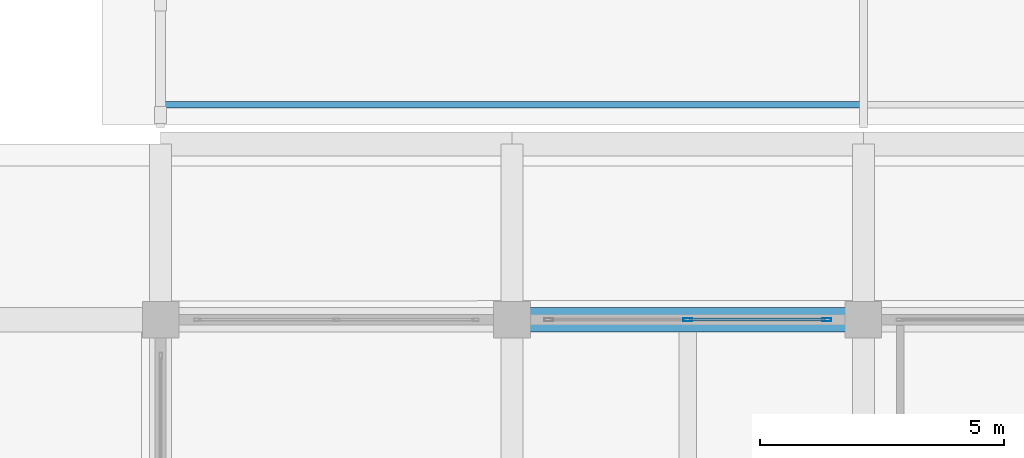
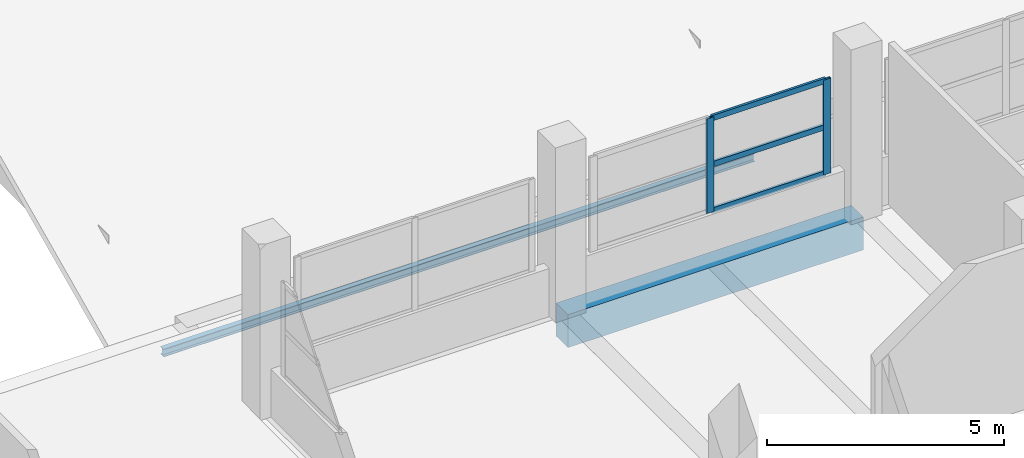
# One storey, part 61 of 141: 6 members, 1 beam, 1 element without a shape of its own.
"""IFC4 building model written with IfcOpenShell, lengths in metres."""

from ifc_helpers import new_model, si_unit, direction, frame, origin, origin_2d, place, context, subcontext, project, spatial, rectangle, hollow_rectangle, i_section, extrude, material, layer, layer_set, material_profile, profile_set, type_object, element, aggregate, save


model = new_model("IFC4")

# Units and contexts
model_context = context("Model", 3, precision=1e-05, world=origin(), true_north=direction((0.0, 1.0)))
body_context = subcontext(model_context, "Body", "Model", "MODEL_VIEW")
ifc_project = project(units=[si_unit("LENGTHUNIT", "METRE"), si_unit("AREAUNIT", "SQUARE_METRE"), si_unit("VOLUMEUNIT", "CUBIC_METRE"), si_unit("PLANEANGLEUNIT", "RADIAN"), si_unit("MASSUNIT", "GRAM", prefix="KILO")], contexts=[model_context])

# Site, building, storey
site_placement = place(None, origin())
site = spatial("IfcSite", under=ifc_project, at=site_placement, CompositionType="ELEMENT")
building_placement = place(site_placement, origin())
building = spatial("IfcBuilding", under=site, at=building_placement, Name="Seraya Terrace Polytechnic", CompositionType="ELEMENT")
storey_placement = place(building_placement, frame((0.0, 0.0, 14.39990234375)))
storey = spatial("IfcBuildingStorey", under=building, at=storey_placement, Name="L03", CompositionType="ELEMENT", Elevation=14.39990234375)

# Beam
ifc_material_1 = material(Name="Concrete C40/50", Category="concrete")
ifc_material_profile_1 = material_profile(ifc_material_1, rectangle(XDim=0.5, YDim=0.85009765625, at=origin_2d()), Name="RC 500x850")
ifc_profile_set_1 = profile_set([ifc_material_profile_1], Name="Concrete C40/50")
beam_type = type_object("IfcBeamType", Name="BM-05", PredefinedType="BEAM", material=ifc_profile_set_1)
beam_placement = place(storey_placement, frame((21.60009765625, 72.0, -0.4248046875), z_axis=(1.0, 0.0, 0.0), x_axis=(0.0, 1.0, 0.0)))
element("IfcBeam", 1, at=beam_placement, inside=storey, type_object=beam_type, Name="Beam BM-05 L03 X (21.6..28.8, 72.0)", PredefinedType="BEAM", context=body_context, shape_type="SweptSolid", body=[
    extrude(rectangle(XDim=0.5, YDim=0.85009765625, at=origin_2d()), origin(), (0.0, 0.0, 1.0), 7.199951171875),
])

# Curtain wall, members
ifc_material_2 = material(Name="Anodised aluminium EN AW-6063 T6", Category="aluminium")
ifc_layer = layer(ifc_material_2, 0.179931640625, Name="CW-07")
ifc_layer_set = layer_set([ifc_layer], Name="Anodised aluminium EN AW-6063 T6")
curtain_wall_type = type_object("IfcCurtainWallType", Name="CW-07", PredefinedType="NOTDEFINED", material=ifc_layer_set)
curtain_wall_placement = place(storey_placement, origin())
curtain_wall = element("IfcCurtainWall", 2, at=curtain_wall_placement, inside=storey, type_object=curtain_wall_type, Name="Unitised curtain wall CW-07 (CW-L03-115)", PredefinedType="NOTDEFINED")
ifc_material_profile_2 = material_profile(ifc_material_2, hollow_rectangle(XDim=0.06494140625, YDim=0.179931640625, WallThickness=0.00390625, at=origin_2d()), Name="RHS 180x65x4.0")
ifc_profile_set_2 = profile_set([ifc_material_profile_2], Name="Anodised aluminium EN AW-6063 T6")
member_type_1 = type_object("IfcMemberType", Name="CWM-01", PredefinedType="MULLION", material=ifc_profile_set_2)
member_1_placement = place(storey_placement, frame((25.199951171875, 72.0, 1.239990234375), z_axis=(0.0, 0.0, 1.0), x_axis=(0.0, 1.0, 0.0)))
member_1 = element("IfcMember", 3, at=member_1_placement, type_object=member_type_1, Name="CW-07 mullion 2", PredefinedType="MULLION", context=body_context, shape_type="SweptSolid", body=[
    extrude(hollow_rectangle(XDim=0.06494140625, YDim=0.179931640625, WallThickness=0.00390625, at=origin_2d()), origin(), (0.0, 0.0, 1.0), 2.440185546875),
])
member_2_placement = place(storey_placement, frame((28.047607421875, 72.0, 1.239990234375), z_axis=(0.0, 0.0, 1.0), x_axis=(0.0, 1.0, 0.0)))
member_2 = element("IfcMember", 4, at=member_2_placement, type_object=member_type_1, Name="CW-07 mullion 3", PredefinedType="MULLION", context=body_context, shape_type="SweptSolid", body=[
    extrude(hollow_rectangle(XDim=0.06494140625, YDim=0.179931640625, WallThickness=0.00390625, at=origin_2d()), origin(), (0.0, 0.0, 1.0), 2.440185546875),
])
ifc_material_profile_3 = material_profile(ifc_material_2, hollow_rectangle(XDim=0.06005859375, YDim=0.139892578125, WallThickness=0.00341796875, at=origin_2d()), Name="RHS 140x60x3.5")
ifc_profile_set_3 = profile_set([ifc_material_profile_3], Name="Anodised aluminium EN AW-6063 T6")
member_type_2 = type_object("IfcMemberType", Name="CWT-01", PredefinedType="USERDEFINED", material=ifc_profile_set_3)
member_3_placement = place(storey_placement, frame((25.232421875, 72.0, 1.27001953125), z_axis=(1.0, 0.0, 0.0), x_axis=(0.0, 1.0, 0.0)))
member_3 = element("IfcMember", 5, at=member_3_placement, type_object=member_type_2, Name="CW-07 transom 2.1", ObjectType="TRANSOM", PredefinedType="USERDEFINED", context=body_context, shape_type="SweptSolid", body=[
    extrude(hollow_rectangle(XDim=0.06005859375, YDim=0.139892578125, WallThickness=0.00341796875, at=origin_2d()), origin(), (0.0, 0.0, 1.0), 2.782470703125),
])
member_4_placement = place(storey_placement, frame((25.232421875, 72.0, 2.460205078125), z_axis=(1.0, 0.0, 0.0), x_axis=(0.0, 1.0, 0.0)))
member_4 = element("IfcMember", 6, at=member_4_placement, type_object=member_type_2, Name="CW-07 transom 2.2", ObjectType="TRANSOM", PredefinedType="USERDEFINED", context=body_context, shape_type="SweptSolid", body=[
    extrude(hollow_rectangle(XDim=0.06005859375, YDim=0.139892578125, WallThickness=0.00341796875, at=origin_2d()), origin(), (0.0, 0.0, 1.0), 2.782470703125),
])
member_5_placement = place(storey_placement, frame((25.232421875, 72.0, 3.650146484375), z_axis=(1.0, 0.0, 0.0), x_axis=(0.0, 1.0, 0.0)))
member_5 = element("IfcMember", 7, at=member_5_placement, type_object=member_type_2, Name="CW-07 transom 2.3", ObjectType="TRANSOM", PredefinedType="USERDEFINED", context=body_context, shape_type="SweptSolid", body=[
    extrude(hollow_rectangle(XDim=0.06005859375, YDim=0.139892578125, WallThickness=0.00341796875, at=origin_2d()), origin(), (0.0, 0.0, 1.0), 2.782470703125),
])
aggregate(curtain_wall, [member_1, member_2, member_3, member_4, member_5])

# Member
ifc_material_3 = material(Name="Steel S355J2", Category="steel")
ifc_material_profile_4 = material_profile(ifc_material_3, i_section(OverallWidth=0.133056640625, OverallDepth=0.202880859375, WebThickness=0.00634765625, FlangeThickness=0.01171875, at=origin_2d()), Name="UKB 203x133x6.4x11.8")
ifc_profile_set_4 = profile_set([ifc_material_profile_4], Name="Steel S355J2")
member_type_3 = type_object("IfcMemberType", Name="PR-02", PredefinedType="PURLIN", material=ifc_profile_set_4)
member_6_placement = place(storey_placement, frame((14.39990234375, 76.39990234375, -1.247802734375), z_axis=(1.0, 0.0, 0.0), x_axis=(0.0, 1.0, 0.0)))
element("IfcMember", 8, at=member_6_placement, inside=storey, type_object=member_type_3, Name="Workshop roof purlin PR-02 bay 1.1", PredefinedType="PURLIN", context=body_context, shape_type="SweptSolid", body=[
    extrude(i_section(OverallWidth=0.133056640625, OverallDepth=0.202880859375, WebThickness=0.00634765625, FlangeThickness=0.01171875, at=origin_2d()), origin(), (0.0, 0.0, 1.0), 14.400146484375),
])

save(model, "model.ifc")
